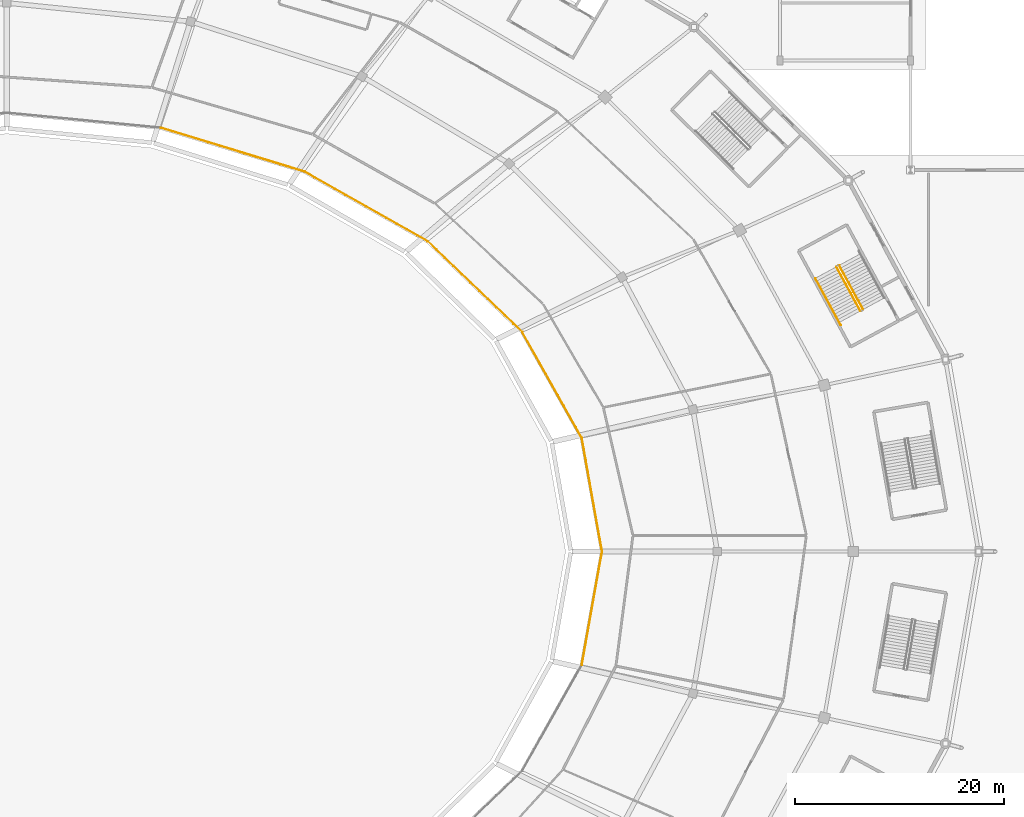
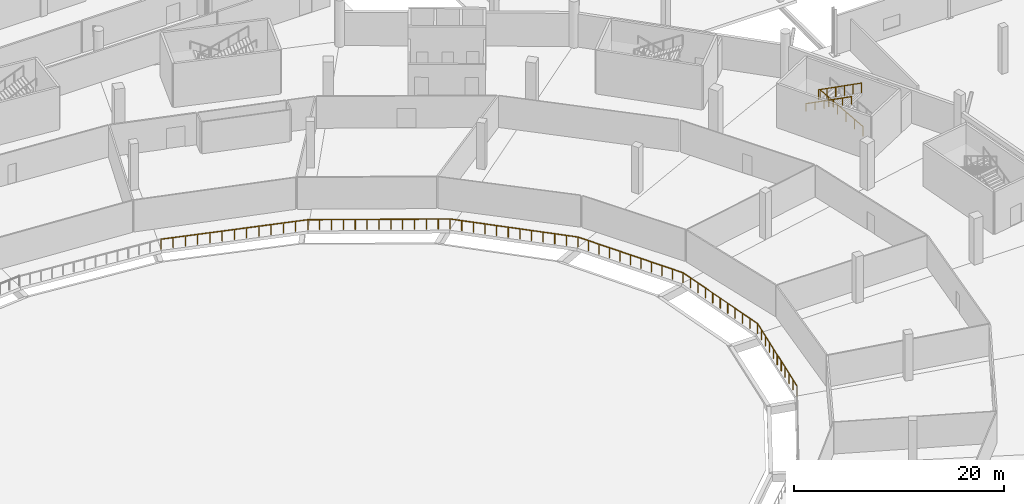
# One storey, part 74 of 82: 9 railings.
"""IFC4 building model written with IfcOpenShell, lengths in metres."""

from ifc_helpers import new_model, si_unit, direction, frame, origin, origin_2d, place, context, subcontext, project, spatial, rectangle, extrude, material, type_object, element, save


model = new_model("IFC4")

# Units and contexts
model_context = context("Model", 3, precision=1e-05, world=origin(), true_north=direction((0.0, 1.0)))
body_context = subcontext(model_context, "Body", "Model", "MODEL_VIEW")
ifc_project = project(units=[si_unit("LENGTHUNIT", "METRE"), si_unit("AREAUNIT", "SQUARE_METRE"), si_unit("VOLUMEUNIT", "CUBIC_METRE"), si_unit("PLANEANGLEUNIT", "RADIAN"), si_unit("MASSUNIT", "GRAM", prefix="KILO")], contexts=[model_context])

# Site, building, storey
site_placement = place(None, origin())
site = spatial("IfcSite", under=ifc_project, at=site_placement, CompositionType="ELEMENT")
building_placement = place(site_placement, origin())
building = spatial("IfcBuilding", under=site, at=building_placement, Name="Zlatoyarsky Gate Stadium", CompositionType="ELEMENT")
storey_placement = place(building_placement, origin())
storey = spatial("IfcBuildingStorey", under=building, at=storey_placement, Name="L00", CompositionType="ELEMENT", Elevation=0.0)

# Railings
ifc_material_1 = material(Name="Powder-coated steel tubular guardrail", Category="steel")
railing_type_1 = type_object("IfcRailingType", Name="CONCOURSE SLAB EDGE GUARDRAIL 1200", PredefinedType="GUARDRAIL", material=ifc_material_1)
railing_1_placement = place(storey_placement, frame((167.97998046875, 80.0, 0.0)))
element("IfcRailing", 1, at=railing_1_placement, inside=storey, type_object=railing_type_1, Name="L00 inner bowl edge guardrail 00", PredefinedType="GUARDRAIL", context=body_context, shape_type="SweptSolid", body=[
    extrude(rectangle(XDim=0.048095703125, YDim=0.048095703125, at=origin_2d()), frame((0.0, 0.0, 1.17578125), z_axis=(-0.175894755289, 0.98440897754, 0.0), x_axis=(-0.98440897754, -0.175894755289, 0.0)), (0.0, 0.0, 1.0), 11.037353515625),
    extrude(rectangle(XDim=0.0419921875, YDim=0.0419921875, at=origin_2d()), origin(), (0.0, 0.0, 1.0), 1.15185546875),
    extrude(rectangle(XDim=0.0419921875, YDim=0.0419921875, at=origin_2d()), frame((-0.194091796875, 1.08642578125, 0.0)), (0.0, 0.0, 1.0), 1.15185546875),
    extrude(rectangle(XDim=0.0419921875, YDim=0.0419921875, at=origin_2d()), frame((-0.38818359375, 2.173095703125, 0.0)), (0.0, 0.0, 1.0), 1.15185546875),
    extrude(rectangle(XDim=0.0419921875, YDim=0.0419921875, at=origin_2d()), frame((-0.58251953125, 3.259521484375, 0.0)), (0.0, 0.0, 1.0), 1.15185546875),
    extrude(rectangle(XDim=0.0419921875, YDim=0.0419921875, at=origin_2d()), frame((-0.776611328125, 4.34619140625, 0.0)), (0.0, 0.0, 1.0), 1.15185546875),
    extrude(rectangle(XDim=0.0419921875, YDim=0.0419921875, at=origin_2d()), frame((-0.970703125, 5.4326171875, 0.0)), (0.0, 0.0, 1.0), 1.15185546875),
    extrude(rectangle(XDim=0.0419921875, YDim=0.0419921875, at=origin_2d()), frame((-1.164794921875, 6.51904296875, 0.0)), (0.0, 0.0, 1.0), 1.15185546875),
    extrude(rectangle(XDim=0.0419921875, YDim=0.0419921875, at=origin_2d()), frame((-1.35888671875, 7.605712890625, 0.0)), (0.0, 0.0, 1.0), 1.15185546875),
    extrude(rectangle(XDim=0.0419921875, YDim=0.0419921875, at=origin_2d()), frame((-1.55322265625, 8.692138671875, 0.0)), (0.0, 0.0, 1.0), 1.15185546875),
    extrude(rectangle(XDim=0.0419921875, YDim=0.0419921875, at=origin_2d()), frame((-1.747314453125, 9.77880859375, 0.0)), (0.0, 0.0, 1.0), 1.15185546875),
    extrude(rectangle(XDim=0.0419921875, YDim=0.0419921875, at=origin_2d()), frame((-1.94140625, 10.865234375, 0.0)), (0.0, 0.0, 1.0), 1.15185546875),
])
railing_2_placement = place(storey_placement, frame((166.03857421875, 90.865234375, 0.0)))
element("IfcRailing", 2, at=railing_2_placement, inside=storey, type_object=railing_type_1, Name="L00 inner bowl edge guardrail 01", PredefinedType="GUARDRAIL", context=body_context, shape_type="SweptSolid", body=[
    extrude(rectangle(XDim=0.048095703125, YDim=0.048095703125, at=origin_2d()), frame((0.0, 0.0, 1.17578125), z_axis=(-0.490078606965, 0.871678242814, 0.0), x_axis=(-0.871678242814, -0.490078606965, 0.0)), (0.0, 0.0, 1.0), 11.615234375),
    extrude(rectangle(XDim=0.0419921875, YDim=0.0419921875, at=origin_2d()), origin(), (0.0, 0.0, 1.0), 1.15185546875),
    extrude(rectangle(XDim=0.0419921875, YDim=0.0419921875, at=origin_2d()), frame((-0.5693359375, 1.012451171875, 0.0)), (0.0, 0.0, 1.0), 1.15185546875),
    extrude(rectangle(XDim=0.0419921875, YDim=0.0419921875, at=origin_2d()), frame((-1.138427734375, 2.02490234375, 0.0)), (0.0, 0.0, 1.0), 1.15185546875),
    extrude(rectangle(XDim=0.0419921875, YDim=0.0419921875, at=origin_2d()), frame((-1.707763671875, 3.037353515625, 0.0)), (0.0, 0.0, 1.0), 1.15185546875),
    extrude(rectangle(XDim=0.0419921875, YDim=0.0419921875, at=origin_2d()), frame((-2.27685546875, 4.0498046875, 0.0)), (0.0, 0.0, 1.0), 1.15185546875),
    extrude(rectangle(XDim=0.0419921875, YDim=0.0419921875, at=origin_2d()), frame((-2.84619140625, 5.0625, 0.0)), (0.0, 0.0, 1.0), 1.15185546875),
    extrude(rectangle(XDim=0.0419921875, YDim=0.0419921875, at=origin_2d()), frame((-3.41552734375, 6.074951171875, 0.0)), (0.0, 0.0, 1.0), 1.15185546875),
    extrude(rectangle(XDim=0.0419921875, YDim=0.0419921875, at=origin_2d()), frame((-3.984619140625, 7.08740234375, 0.0)), (0.0, 0.0, 1.0), 1.15185546875),
    extrude(rectangle(XDim=0.0419921875, YDim=0.0419921875, at=origin_2d()), frame((-4.553955078125, 8.099853515625, 0.0)), (0.0, 0.0, 1.0), 1.15185546875),
    extrude(rectangle(XDim=0.0419921875, YDim=0.0419921875, at=origin_2d()), frame((-5.123046875, 9.1123046875, 0.0)), (0.0, 0.0, 1.0), 1.15185546875),
    extrude(rectangle(XDim=0.0419921875, YDim=0.0419921875, at=origin_2d()), frame((-5.6923828125, 10.124755859375, 0.0)), (0.0, 0.0, 1.0), 1.15185546875),
])
railing_3_placement = place(storey_placement, frame((160.34619140625, 100.989990234375, 0.0)))
element("IfcRailing", 3, at=railing_3_placement, inside=storey, type_object=railing_type_1, Name="L00 inner bowl edge guardrail 02", PredefinedType="GUARDRAIL", context=body_context, shape_type="SweptSolid", body=[
    extrude(rectangle(XDim=0.048095703125, YDim=0.048095703125, at=origin_2d()), frame((0.0, 0.0, 1.17578125), z_axis=(-0.721332909248, 0.692588502673, 0.0), x_axis=(-0.692588502673, -0.721332909248, 0.0)), (0.0, 0.0, 1.0), 12.553466796875),
    extrude(rectangle(XDim=0.0419921875, YDim=0.0419921875, at=origin_2d()), origin(), (0.0, 0.0, 1.0), 1.15185546875),
    extrude(rectangle(XDim=0.0419921875, YDim=0.0419921875, at=origin_2d()), frame((-0.8232421875, 0.790283203125, 0.0)), (0.0, 0.0, 1.0), 1.15185546875),
    extrude(rectangle(XDim=0.0419921875, YDim=0.0419921875, at=origin_2d()), frame((-1.646484375, 1.580810546875, 0.0)), (0.0, 0.0, 1.0), 1.15185546875),
    extrude(rectangle(XDim=0.0419921875, YDim=0.0419921875, at=origin_2d()), frame((-2.469482421875, 2.37109375, 0.0)), (0.0, 0.0, 1.0), 1.15185546875),
    extrude(rectangle(XDim=0.0419921875, YDim=0.0419921875, at=origin_2d()), frame((-3.292724609375, 3.16162109375, 0.0)), (0.0, 0.0, 1.0), 1.15185546875),
    extrude(rectangle(XDim=0.0419921875, YDim=0.0419921875, at=origin_2d()), frame((-4.115966796875, 3.951904296875, 0.0)), (0.0, 0.0, 1.0), 1.15185546875),
    extrude(rectangle(XDim=0.0419921875, YDim=0.0419921875, at=origin_2d()), frame((-4.939208984375, 4.742431640625, 0.0)), (0.0, 0.0, 1.0), 1.15185546875),
    extrude(rectangle(XDim=0.0419921875, YDim=0.0419921875, at=origin_2d()), frame((-5.762451171875, 5.53271484375, 0.0)), (0.0, 0.0, 1.0), 1.15185546875),
    extrude(rectangle(XDim=0.0419921875, YDim=0.0419921875, at=origin_2d()), frame((-6.585693359375, 6.3232421875, 0.0)), (0.0, 0.0, 1.0), 1.15185546875),
    extrude(rectangle(XDim=0.0419921875, YDim=0.0419921875, at=origin_2d()), frame((-7.40869140625, 7.113525390625, 0.0)), (0.0, 0.0, 1.0), 1.15185546875),
    extrude(rectangle(XDim=0.0419921875, YDim=0.0419921875, at=origin_2d()), frame((-8.23193359375, 7.904052734375, 0.0)), (0.0, 0.0, 1.0), 1.15185546875),
    extrude(rectangle(XDim=0.0419921875, YDim=0.0419921875, at=origin_2d()), frame((-9.05517578125, 8.6943359375, 0.0)), (0.0, 0.0, 1.0), 1.15185546875),
])
railing_4_placement = place(storey_placement, frame((151.291015625, 109.684326171875, 0.0)))
element("IfcRailing", 4, at=railing_4_placement, inside=storey, type_object=railing_type_1, Name="L00 inner bowl edge guardrail 03", PredefinedType="GUARDRAIL", context=body_context, shape_type="SweptSolid", body=[
    extrude(rectangle(XDim=0.048095703125, YDim=0.048095703125, at=origin_2d()), frame((0.0, 0.0, 1.17578125), z_axis=(-0.870523591827, 0.492126687015, 0.0), x_axis=(-0.492126687015, -0.870523591827, 0.0)), (0.0, 0.0, 1.0), 13.55615234375),
    extrude(rectangle(XDim=0.0419921875, YDim=0.0419921875, at=origin_2d()), origin(), (0.0, 0.0, 1.0), 1.15185546875),
    extrude(rectangle(XDim=0.0419921875, YDim=0.0419921875, at=origin_2d()), frame((-0.9833984375, 0.555908203125, 0.0)), (0.0, 0.0, 1.0), 1.15185546875),
    extrude(rectangle(XDim=0.0419921875, YDim=0.0419921875, at=origin_2d()), frame((-1.966796875, 1.11181640625, 0.0)), (0.0, 0.0, 1.0), 1.15185546875),
    extrude(rectangle(XDim=0.0419921875, YDim=0.0419921875, at=origin_2d()), frame((-2.9501953125, 1.66796875, 0.0)), (0.0, 0.0, 1.0), 1.15185546875),
    extrude(rectangle(XDim=0.0419921875, YDim=0.0419921875, at=origin_2d()), frame((-3.93359375, 2.223876953125, 0.0)), (0.0, 0.0, 1.0), 1.15185546875),
    extrude(rectangle(XDim=0.0419921875, YDim=0.0419921875, at=origin_2d()), frame((-4.9169921875, 2.77978515625, 0.0)), (0.0, 0.0, 1.0), 1.15185546875),
    extrude(rectangle(XDim=0.0419921875, YDim=0.0419921875, at=origin_2d()), frame((-5.900390625, 3.335693359375, 0.0)), (0.0, 0.0, 1.0), 1.15185546875),
    extrude(rectangle(XDim=0.0419921875, YDim=0.0419921875, at=origin_2d()), frame((-6.884033203125, 3.8916015625, 0.0)), (0.0, 0.0, 1.0), 1.15185546875),
    extrude(rectangle(XDim=0.0419921875, YDim=0.0419921875, at=origin_2d()), frame((-7.867431640625, 4.447509765625, 0.0)), (0.0, 0.0, 1.0), 1.15185546875),
    extrude(rectangle(XDim=0.0419921875, YDim=0.0419921875, at=origin_2d()), frame((-8.850830078125, 5.00341796875, 0.0)), (0.0, 0.0, 1.0), 1.15185546875),
    extrude(rectangle(XDim=0.0419921875, YDim=0.0419921875, at=origin_2d()), frame((-9.834228515625, 5.5595703125, 0.0)), (0.0, 0.0, 1.0), 1.15185546875),
    extrude(rectangle(XDim=0.0419921875, YDim=0.0419921875, at=origin_2d()), frame((-10.817626953125, 6.115478515625, 0.0)), (0.0, 0.0, 1.0), 1.15185546875),
    extrude(rectangle(XDim=0.0419921875, YDim=0.0419921875, at=origin_2d()), frame((-11.801025390625, 6.67138671875, 0.0)), (0.0, 0.0, 1.0), 1.15185546875),
])
railing_5_placement = place(storey_placement, frame((139.489990234375, 116.355712890625, 0.0)))
element("IfcRailing", 5, at=railing_5_placement, inside=storey, type_object=railing_type_1, Name="L00 inner bowl edge guardrail 04", PredefinedType="GUARDRAIL", context=body_context, shape_type="SweptSolid", body=[
    extrude(rectangle(XDim=0.048095703125, YDim=0.048095703125, at=origin_2d()), frame((0.0, 0.0, 1.17578125), z_axis=(-0.956453212305, 0.291885684254, 0.0), x_axis=(-0.291885684254, -0.956453212305, 0.0)), (0.0, 0.0, 1.0), 14.3681640625),
    extrude(rectangle(XDim=0.0419921875, YDim=0.0419921875, at=origin_2d()), origin(), (0.0, 0.0, 1.0), 1.15185546875),
    extrude(rectangle(XDim=0.0419921875, YDim=0.0419921875, at=origin_2d()), frame((-1.145263671875, 0.349609375, 0.0)), (0.0, 0.0, 1.0), 1.15185546875),
    extrude(rectangle(XDim=0.0419921875, YDim=0.0419921875, at=origin_2d()), frame((-2.29052734375, 0.698974609375, 0.0)), (0.0, 0.0, 1.0), 1.15185546875),
    extrude(rectangle(XDim=0.0419921875, YDim=0.0419921875, at=origin_2d()), frame((-3.435546875, 1.04833984375, 0.0)), (0.0, 0.0, 1.0), 1.15185546875),
    extrude(rectangle(XDim=0.0419921875, YDim=0.0419921875, at=origin_2d()), frame((-4.580810546875, 1.39794921875, 0.0)), (0.0, 0.0, 1.0), 1.15185546875),
    extrude(rectangle(XDim=0.0419921875, YDim=0.0419921875, at=origin_2d()), frame((-5.72607421875, 1.74755859375, 0.0)), (0.0, 0.0, 1.0), 1.15185546875),
    extrude(rectangle(XDim=0.0419921875, YDim=0.0419921875, at=origin_2d()), frame((-6.87109375, 2.096923828125, 0.0)), (0.0, 0.0, 1.0), 1.15185546875),
    extrude(rectangle(XDim=0.0419921875, YDim=0.0419921875, at=origin_2d()), frame((-8.016357421875, 2.4462890625, 0.0)), (0.0, 0.0, 1.0), 1.15185546875),
    extrude(rectangle(XDim=0.0419921875, YDim=0.0419921875, at=origin_2d()), frame((-9.16162109375, 2.7958984375, 0.0)), (0.0, 0.0, 1.0), 1.15185546875),
    extrude(rectangle(XDim=0.0419921875, YDim=0.0419921875, at=origin_2d()), frame((-10.306884765625, 3.1455078125, 0.0)), (0.0, 0.0, 1.0), 1.15185546875),
    extrude(rectangle(XDim=0.0419921875, YDim=0.0419921875, at=origin_2d()), frame((-11.4521484375, 3.494873046875, 0.0)), (0.0, 0.0, 1.0), 1.15185546875),
    extrude(rectangle(XDim=0.0419921875, YDim=0.0419921875, at=origin_2d()), frame((-12.59716796875, 3.84423828125, 0.0)), (0.0, 0.0, 1.0), 1.15185546875),
    extrude(rectangle(XDim=0.0419921875, YDim=0.0419921875, at=origin_2d()), frame((-13.742431640625, 4.19384765625, 0.0)), (0.0, 0.0, 1.0), 1.15185546875),
])
railing_6_placement = place(storey_placement, frame((166.03857421875, 69.134765625, 0.0)))
element("IfcRailing", 6, at=railing_6_placement, inside=storey, type_object=railing_type_1, Name="L00 inner bowl edge guardrail 23", PredefinedType="GUARDRAIL", context=body_context, shape_type="SweptSolid", body=[
    extrude(rectangle(XDim=0.048095703125, YDim=0.048095703125, at=origin_2d()), frame((0.0, 0.0, 1.17578125), z_axis=(0.175894755289, 0.98440897754, 0.0), x_axis=(-0.98440897754, 0.175894755289, 0.0)), (0.0, 0.0, 1.0), 11.037353515625),
    extrude(rectangle(XDim=0.0419921875, YDim=0.0419921875, at=origin_2d()), origin(), (0.0, 0.0, 1.0), 1.15185546875),
    extrude(rectangle(XDim=0.0419921875, YDim=0.0419921875, at=origin_2d()), frame((0.194091796875, 1.08642578125, 0.0)), (0.0, 0.0, 1.0), 1.15185546875),
    extrude(rectangle(XDim=0.0419921875, YDim=0.0419921875, at=origin_2d()), frame((0.38818359375, 2.173095703125, 0.0)), (0.0, 0.0, 1.0), 1.15185546875),
    extrude(rectangle(XDim=0.0419921875, YDim=0.0419921875, at=origin_2d()), frame((0.58251953125, 3.259521484375, 0.0)), (0.0, 0.0, 1.0), 1.15185546875),
    extrude(rectangle(XDim=0.0419921875, YDim=0.0419921875, at=origin_2d()), frame((0.776611328125, 4.34619140625, 0.0)), (0.0, 0.0, 1.0), 1.15185546875),
    extrude(rectangle(XDim=0.0419921875, YDim=0.0419921875, at=origin_2d()), frame((0.970703125, 5.4326171875, 0.0)), (0.0, 0.0, 1.0), 1.15185546875),
    extrude(rectangle(XDim=0.0419921875, YDim=0.0419921875, at=origin_2d()), frame((1.164794921875, 6.51904296875, 0.0)), (0.0, 0.0, 1.0), 1.15185546875),
    extrude(rectangle(XDim=0.0419921875, YDim=0.0419921875, at=origin_2d()), frame((1.35888671875, 7.605712890625, 0.0)), (0.0, 0.0, 1.0), 1.15185546875),
    extrude(rectangle(XDim=0.0419921875, YDim=0.0419921875, at=origin_2d()), frame((1.55322265625, 8.692138671875, 0.0)), (0.0, 0.0, 1.0), 1.15185546875),
    extrude(rectangle(XDim=0.0419921875, YDim=0.0419921875, at=origin_2d()), frame((1.747314453125, 9.77880859375, 0.0)), (0.0, 0.0, 1.0), 1.15185546875),
    extrude(rectangle(XDim=0.0419921875, YDim=0.0419921875, at=origin_2d()), frame((1.94140625, 10.865234375, 0.0)), (0.0, 0.0, 1.0), 1.15185546875),
])
ifc_material_2 = material(Name="Powder-coated steel stair guardrail", Category="steel")
railing_type_2 = type_object("IfcRailingType", Name="PAINTED STEEL STAIR WELL GUARDRAIL 1150", PredefinedType="GUARDRAIL", material=ifc_material_2)
railing_7_placement = place(storey_placement, frame((192.96484375, 103.16650390625, 0.158935546875)))
element("IfcRailing", 7, at=railing_7_placement, inside=storey, type_object=railing_type_2, Name="ST-13 L00 stair guard 1", PredefinedType="GUARDRAIL", context=body_context, shape_type="SweptSolid", body=[
    extrude(rectangle(XDim=0.048095703125, YDim=0.048095703125, at=origin_2d()), frame((0.0, 0.0, 1.1259765625), z_axis=(-0.421475720149, 0.776826143334, 0.467866819039), x_axis=(-0.878962478599, -0.4768909322, 0.0)), (0.0, 0.0, 1.0), 5.43115234375),
    extrude(rectangle(XDim=0.0419921875, YDim=0.0419921875, at=origin_2d()), origin(), (0.0, 0.0, 1.0), 1.101806640625),
    extrude(rectangle(XDim=0.0419921875, YDim=0.0419921875, at=origin_2d()), frame((-0.457763671875, 0.84375, 0.50830078125)), (0.0, 0.0, 1.0), 1.101806640625),
    extrude(rectangle(XDim=0.0419921875, YDim=0.0419921875, at=origin_2d()), frame((-0.91552734375, 1.6875, 1.016357421875)), (0.0, 0.0, 1.0), 1.101806640625),
    extrude(rectangle(XDim=0.0419921875, YDim=0.0419921875, at=origin_2d()), frame((-1.37353515625, 2.531494140625, 1.524658203125)), (0.0, 0.0, 1.0), 1.101806640625),
    extrude(rectangle(XDim=0.0419921875, YDim=0.0419921875, at=origin_2d()), frame((-1.831298828125, 3.375244140625, 2.03271484375)), (0.0, 0.0, 1.0), 1.101806640625),
    extrude(rectangle(XDim=0.0419921875, YDim=0.0419921875, at=origin_2d()), frame((-2.2890625, 4.218994140625, 2.541015625)), (0.0, 0.0, 1.0), 1.101806640625),
])
railing_8_placement = place(storey_placement, frame((190.412109375, 107.242431640625, 2.85888671875)))
element("IfcRailing", 8, at=railing_8_placement, inside=storey, type_object=railing_type_2, Name="ST-13 L00 stair guard 3", PredefinedType="GUARDRAIL", context=body_context, shape_type="SweptSolid", body=[
    extrude(rectangle(XDim=0.048095703125, YDim=0.048095703125, at=origin_2d()), frame((0.0, 0.0, 1.1259765625), z_axis=(0.421475720149, -0.776826143334, 0.467866819039), x_axis=(0.878962478599, 0.4768909322, 0.0)), (0.0, 0.0, 1.0), 5.43115234375),
    extrude(rectangle(XDim=0.0419921875, YDim=0.0419921875, at=origin_2d()), origin(), (0.0, 0.0, 1.0), 1.101806640625),
    extrude(rectangle(XDim=0.0419921875, YDim=0.0419921875, at=origin_2d()), frame((0.457763671875, -0.84375, 0.50830078125)), (0.0, 0.0, 1.0), 1.101806640625),
    extrude(rectangle(XDim=0.0419921875, YDim=0.0419921875, at=origin_2d()), frame((0.91552734375, -1.6875, 1.016357421875)), (0.0, 0.0, 1.0), 1.101806640625),
    extrude(rectangle(XDim=0.0419921875, YDim=0.0419921875, at=origin_2d()), frame((1.37353515625, -2.531494140625, 1.524658203125)), (0.0, 0.0, 1.0), 1.101806640625),
    extrude(rectangle(XDim=0.0419921875, YDim=0.0419921875, at=origin_2d()), frame((1.831298828125, -3.375244140625, 2.03271484375)), (0.0, 0.0, 1.0), 1.101806640625),
    extrude(rectangle(XDim=0.0419921875, YDim=0.0419921875, at=origin_2d()), frame((2.2890625, -4.218994140625, 2.541015625)), (0.0, 0.0, 1.0), 1.101806640625),
])
ifc_material_3 = material(Name="Brushed stainless steel 316 handrail", Category="steel")
railing_type_3 = type_object("IfcRailingType", Name="STAINLESS STEEL TUBULAR HANDRAIL 900", PredefinedType="HANDRAIL", material=ifc_material_3)
railing_9_placement = place(storey_placement, frame((188.390380859375, 106.145751953125, 2.86279296875)))
element("IfcRailing", 9, at=railing_9_placement, inside=storey, type_object=railing_type_3, Name="ST-13 L00 stair handrail 2", PredefinedType="HANDRAIL", context=body_context, shape_type="SweptSolid", body=[
    extrude(rectangle(XDim=0.048095703125, YDim=0.048095703125, at=origin_2d()), frame((0.0, 0.0, 0.8759765625), z_axis=(0.421458562737, -0.776834182793, 0.467868926452), x_axis=(0.878972684615, 0.476872120909, 0.0)), (0.0, 0.0, 1.0), 5.770751953125),
    extrude(rectangle(XDim=0.0419921875, YDim=0.0419921875, at=origin_2d()), origin(), (0.0, 0.0, 1.0), 0.851806640625),
    extrude(rectangle(XDim=0.0419921875, YDim=0.0419921875, at=origin_2d()), frame((0.486328125, -0.896484375, 0.5400390625)), (0.0, 0.0, 1.0), 0.851806640625),
    extrude(rectangle(XDim=0.0419921875, YDim=0.0419921875, at=origin_2d()), frame((0.972900390625, -1.793212890625, 1.080078125)), (0.0, 0.0, 1.0), 0.851806640625),
    extrude(rectangle(XDim=0.0419921875, YDim=0.0419921875, at=origin_2d()), frame((1.459228515625, -2.689697265625, 1.619873046875)), (0.0, 0.0, 1.0), 0.851806640625),
    extrude(rectangle(XDim=0.0419921875, YDim=0.0419921875, at=origin_2d()), frame((1.94580078125, -3.58642578125, 2.159912109375)), (0.0, 0.0, 1.0), 0.851806640625),
    extrude(rectangle(XDim=0.0419921875, YDim=0.0419921875, at=origin_2d()), frame((2.43212890625, -4.48291015625, 2.699951171875)), (0.0, 0.0, 1.0), 0.851806640625),
])

save(model, "model.ifc")
